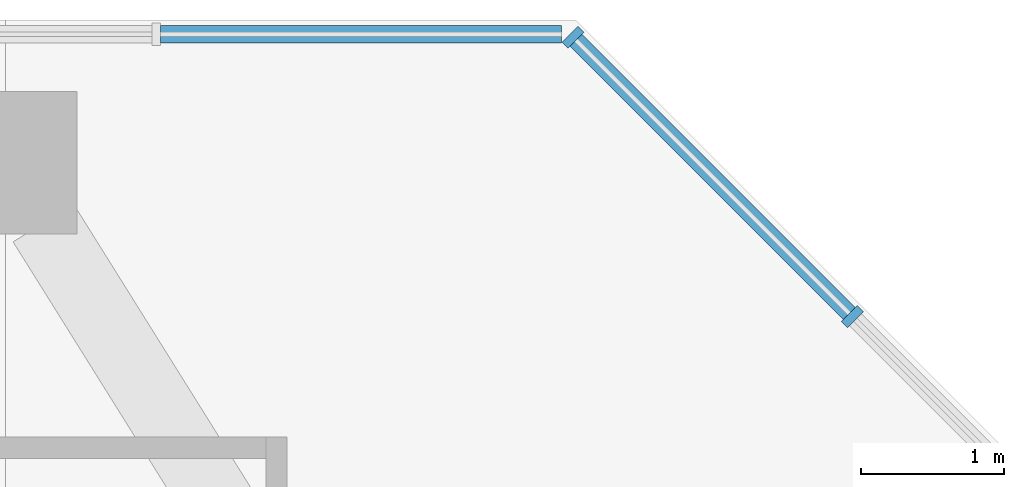
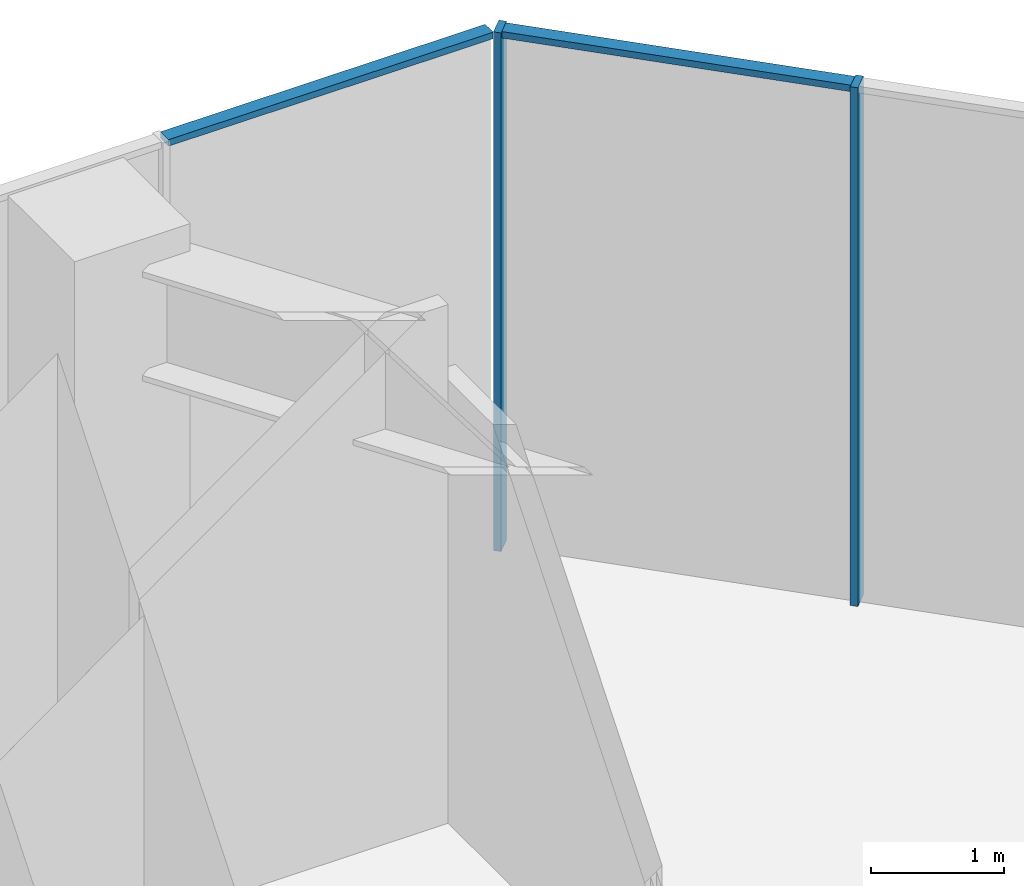
# One storey, part 7 of 10: 4 members, 2 elements without a shape of their own.
"""IFC4 building model written with IfcOpenShell, lengths in metres."""

from ifc_helpers import new_model, si_unit, direction, frame, origin, origin_2d, place, context, subcontext, project, spatial, rectangle, extrude, material, material_profile, profile_set, type_object, element, aggregate, save


model = new_model("IFC4")

# Units and contexts
model_context = context("Model", 3, precision=1e-05, world=origin(), true_north=direction((0.0, 1.0)))
body_context = subcontext(model_context, "Body", "Model", "MODEL_VIEW")
ifc_project = project(units=[si_unit("LENGTHUNIT", "METRE"), si_unit("AREAUNIT", "SQUARE_METRE"), si_unit("VOLUMEUNIT", "CUBIC_METRE"), si_unit("PLANEANGLEUNIT", "RADIAN"), si_unit("MASSUNIT", "GRAM", prefix="KILO")], contexts=[model_context])

# Site, building, storey
site_placement = place(None, origin())
site = spatial("IfcSite", under=ifc_project, at=site_placement, CompositionType="ELEMENT")
building_placement = place(site_placement, origin())
building = spatial("IfcBuilding", under=site, at=building_placement, Name="Mizan Broadcast Tower", CompositionType="ELEMENT")
storey_placement = place(building_placement, frame((0.0, 0.0, 311.300048828125)))
storey = spatial("IfcBuildingStorey", under=building, at=storey_placement, Name="L74", CompositionType="ELEMENT", Elevation=311.300048828125)

# Curtain wall, members
ifc_material_1 = material(Name="Aluminium framed glazing", Category="aluminium")
curtain_wall_type = type_object("IfcCurtainWallType", Name="LANTERN", PredefinedType="USERDEFINED", material=ifc_material_1)
curtain_wall_1_placement = place(storey_placement, origin())
curtain_wall_1 = element("IfcCurtainWall", 1, at=curtain_wall_1_placement, inside=storey, type_object=curtain_wall_type, Name="Lantern L74 E chamfer", ObjectType="LANTERN", PredefinedType="USERDEFINED")
ifc_material_2 = material(Name="Aluminium, pale anodised", Category="aluminium")
ifc_material_profile_1 = material_profile(ifc_material_2, rectangle(XDim=0.159912109375, YDim=0.06005859375, at=origin_2d()), Name="MULLION 160x60")
ifc_profile_set_1 = profile_set([ifc_material_profile_1], Name="Aluminium, pale anodised")
member_type_1 = type_object("IfcMemberType", Name="INNER SKIN MULLION 60x160", PredefinedType="MULLION", material=ifc_profile_set_1)
member_1_placement = place(storey_placement, frame((17.93896484375, 10.91943359375, 0.0), z_axis=(0.0, 0.0, 1.0), x_axis=(-0.707106781187, -0.707106781187, 0.0)))
member_1 = element("IfcMember", 2, at=member_1_placement, type_object=member_type_1, Name="Lantern L74 E chamfer mullion 3", PredefinedType="MULLION", context=body_context, shape_type="SweptSolid", body=[
    extrude(rectangle(XDim=0.159912109375, YDim=0.06005859375, at=origin_2d()), origin(), (0.0, 0.0, 1.0), 4.75),
])
member_2_placement = place(storey_placement, frame((15.979736328125, 12.87890625, 0.0), z_axis=(0.0, 0.0, 1.0), x_axis=(-0.707106781187, -0.707106781187, 0.0)))
member_2 = element("IfcMember", 3, at=member_2_placement, type_object=member_type_1, Name="Lantern L74 E chamfer mullion 4", PredefinedType="MULLION", context=body_context, shape_type="SweptSolid", body=[
    extrude(rectangle(XDim=0.159912109375, YDim=0.06005859375, at=origin_2d()), origin(), (0.0, 0.0, 1.0), 4.75),
])
ifc_material_3 = material(Name="Aluminium, pale anodised", Category="aluminium")
ifc_material_profile_2 = material_profile(ifc_material_3, rectangle(XDim=0.1201171875, YDim=0.06005859375, at=origin_2d()), Name="TRANSOM 120x60")
ifc_profile_set_2 = profile_set([ifc_material_profile_2], Name="Aluminium, pale anodised")
member_type_2 = type_object("IfcMemberType", Name="INNER SKIN TRANSOM 60x120", PredefinedType="USERDEFINED", material=ifc_profile_set_2)
member_3_placement = place(storey_placement, frame((17.917724609375, 10.940673828125, 4.719970703125), z_axis=(-0.707061749709, 0.707151809797, 0.0), x_axis=(-0.707151809797, -0.707061749709, 0.0)))
member_3 = element("IfcMember", 4, at=member_3_placement, type_object=member_type_2, Name="Lantern L74 E chamfer transom 3.1", ObjectType="TRANSOM", PredefinedType="USERDEFINED", context=body_context, shape_type="SweptSolid", body=[
    extrude(rectangle(XDim=0.1201171875, YDim=0.06005859375, at=origin_2d()), origin(), (0.0, 0.0, 1.0), 2.7109375),
])
aggregate(curtain_wall_1, [member_1, member_2, member_3])

# Curtain wall, member
curtain_wall_2_placement = place(storey_placement, origin())
curtain_wall_2 = element("IfcCurtainWall", 5, at=curtain_wall_2_placement, inside=storey, type_object=curtain_wall_type, Name="Lantern L74 N end", ObjectType="LANTERN", PredefinedType="USERDEFINED")
member_4_placement = place(storey_placement, frame((15.898681640625, 12.89990234375, 4.719970703125), z_axis=(-1.0, 0.0, 0.0), x_axis=(0.0, -1.0, 0.0)))
member_4 = element("IfcMember", 6, at=member_4_placement, type_object=member_type_2, Name="Lantern L74 N end transom 1.1", ObjectType="TRANSOM", PredefinedType="USERDEFINED", context=body_context, shape_type="SweptSolid", body=[
    extrude(rectangle(XDim=0.1201171875, YDim=0.06005859375, at=origin_2d()), origin(), (0.0, 0.0, 1.0), 2.811767578125),
])
aggregate(curtain_wall_2, [member_4])

save(model, "model.ifc")
